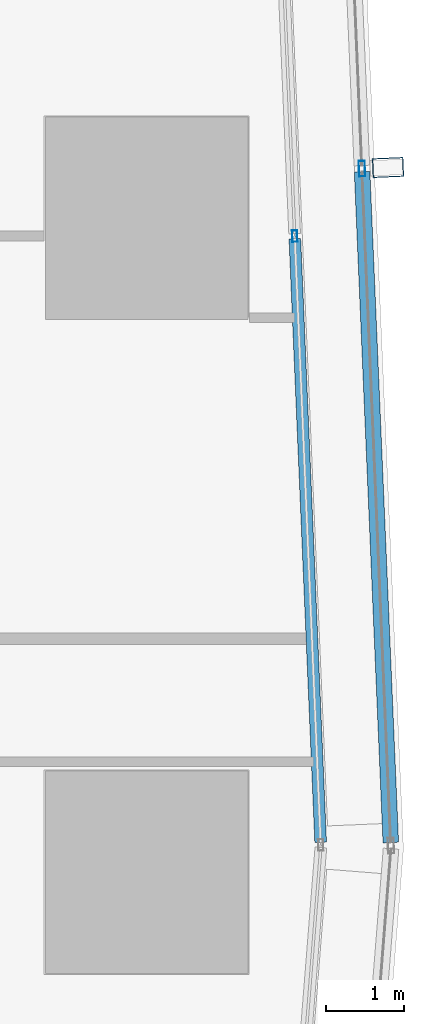
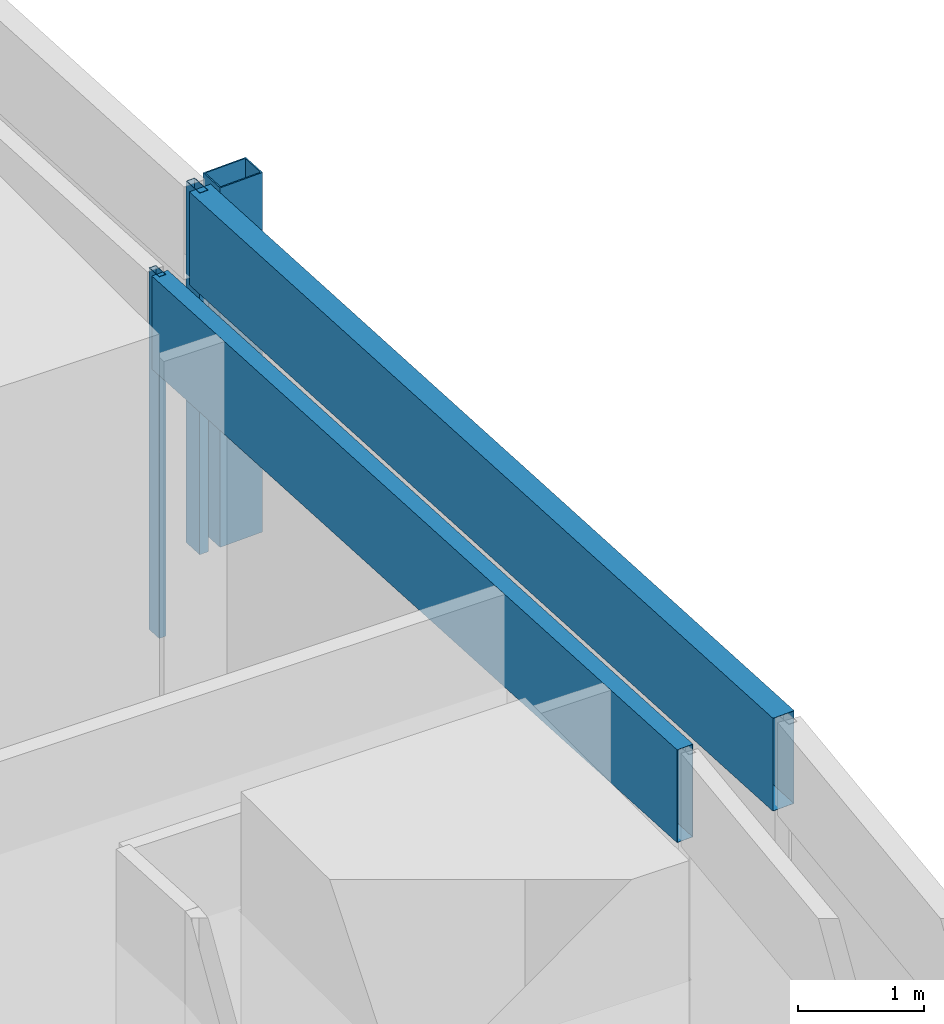
# One storey, part 27 of 46: 5 members, 2 elements without a shape of their own.
"""IFC4 building model written with IfcOpenShell, lengths in metres."""

from ifc_helpers import new_model, si_unit, direction, frame, origin, origin_2d, place, context, subcontext, project, spatial, hollow_rectangle, extrude, material, material_profile, profile_set, type_object, element, aggregate, save


model = new_model("IFC4")

# Units and contexts
model_context = context("Model", 3, precision=1e-05, world=origin(), true_north=direction((0.0, 1.0)))
body_context = subcontext(model_context, "Body", "Model", "MODEL_VIEW")
ifc_project = project(units=[si_unit("LENGTHUNIT", "METRE"), si_unit("AREAUNIT", "SQUARE_METRE"), si_unit("VOLUMEUNIT", "CUBIC_METRE"), si_unit("PLANEANGLEUNIT", "RADIAN"), si_unit("MASSUNIT", "GRAM", prefix="KILO")], contexts=[model_context])

# Site, building, storey
site_placement = place(None, origin())
site = spatial("IfcSite", under=ifc_project, at=site_placement, CompositionType="ELEMENT")
building_placement = place(site_placement, origin())
building = spatial("IfcBuilding", under=site, at=building_placement, Name="Rekha Terrace Tower", CompositionType="ELEMENT")
storey_placement = place(building_placement, frame((0.0, 0.0, 29.14990234375)))
storey = spatial("IfcBuildingStorey", under=building, at=storey_placement, Name="L06", CompositionType="ELEMENT", Elevation=29.14990234375)

# Curtain wall, member
ifc_material_1 = material(Name="Aluminium framing", Category="aluminium")
curtain_wall_type_1 = type_object("IfcCurtainWallType", Name="CW2 double skin outer glazing", PredefinedType="USERDEFINED", material=ifc_material_1)
curtain_wall_1_placement = place(storey_placement, origin())
curtain_wall_1 = element("IfcCurtainWall", 1, at=curtain_wall_1_placement, inside=storey, type_object=curtain_wall_type_1, Name="CW2 double skin outer glazing", ObjectType="DOUBLE SKIN OUTER GLAZING", PredefinedType="USERDEFINED")
ifc_material_2 = material(Name="Steel S355 with fluorocarbon finish", Category="steel")
ifc_material_profile_1 = material_profile(ifc_material_2, hollow_rectangle(XDim=0.25, YDim=0.39990234375, WallThickness=0.012451171875, at=origin_2d()), Name="RHS400x250x12.5")
ifc_profile_set_1 = profile_set([ifc_material_profile_1], Name="Steel S355 with fluorocarbon finish")
member_type_1 = type_object("IfcMemberType", Name="BL1 facade blade RHS 400 x 250", PredefinedType="USERDEFINED", material=ifc_profile_set_1)
member_1_placement = place(storey_placement, frame((70.301025390625, 34.2529296875, 0.02001953125), z_axis=(0.0, 0.0, 1.0), x_axis=(-0.04269522475, 0.99908814315, 0.0)))
member_1 = element("IfcMember", 2, at=member_1_placement, type_object=member_type_1, Name="Facade blade", ObjectType="FACADE BLADE", PredefinedType="USERDEFINED", context=body_context, shape_type="SweptSolid", body=[
    extrude(hollow_rectangle(XDim=0.25, YDim=0.39990234375, WallThickness=0.012451171875, at=origin_2d()), origin(), (0.0, 0.0, 1.0), 3.47998046875),
])

# Curtain wall, members
curtain_wall_type_2 = type_object("IfcCurtainWallType", Name="CW1 double skin inner glazing", PredefinedType="USERDEFINED", material=ifc_material_1)
curtain_wall_2_placement = place(storey_placement, origin())
curtain_wall_2 = element("IfcCurtainWall", 3, at=curtain_wall_2_placement, inside=storey, type_object=curtain_wall_type_2, Name="CW1 double skin inner glazing", ObjectType="DOUBLE SKIN INNER GLAZING", PredefinedType="USERDEFINED")
ifc_material_3 = material(Name="Aluminium mullion section", Category="aluminium")
ifc_material_profile_2 = material_profile(ifc_material_3, hollow_rectangle(XDim=0.06494140625, YDim=0.14990234375, WallThickness=0.00390625, at=origin_2d()), Name="AL RHS 65x150")
ifc_profile_set_2 = profile_set([ifc_material_profile_2], Name="Aluminium mullion section")
member_type_2 = type_object("IfcMemberType", Name="CW1 mullion RHS 65 x 150", PredefinedType="MULLION", material=ifc_profile_set_2)
member_2_placement = place(storey_placement, frame((69.1025390625, 33.371826171875, 0.0), z_axis=(0.0, 0.0, 1.0), x_axis=(-0.999088106903, -0.042696072939, 0.0)))
member_2 = element("IfcMember", 4, at=member_2_placement, type_object=member_type_2, Name="CW1 mullion 2", PredefinedType="MULLION", context=body_context, shape_type="SweptSolid", body=[
    extrude(hollow_rectangle(XDim=0.06494140625, YDim=0.14990234375, WallThickness=0.00390625, at=origin_2d()), origin(), (0.0, 0.0, 1.0), 3.5),
])
ifc_material_4 = material(Name="Insulated aluminium spandrel box", Category="aluminium")
ifc_material_profile_3 = material_profile(ifc_material_4, hollow_rectangle(XDim=0.14990234375, YDim=0.89990234375, WallThickness=0.0029296875, at=origin_2d()), Name="AL SPANDREL BOX 150x900")
ifc_profile_set_3 = profile_set([ifc_material_profile_3], Name="Insulated aluminium spandrel box")
member_type_3 = type_object("IfcMemberType", Name="CW1 spandrel transom 150 x 900", PredefinedType="USERDEFINED", material=ifc_profile_set_3)
member_3_placement = place(storey_placement, frame((69.435546875, 25.584228515625, 3.050048828125), z_axis=(-0.042712441337, 0.999087407265, 0.0), x_axis=(-0.999087407265, -0.042712441337, 0.0)))
member_3 = element("IfcMember", 5, at=member_3_placement, type_object=member_type_3, Name="CW1 spandrel transom 1", ObjectType="TRANSOM", PredefinedType="USERDEFINED", context=body_context, shape_type="SweptSolid", body=[
    extrude(hollow_rectangle(XDim=0.14990234375, YDim=0.89990234375, WallThickness=0.0029296875, at=origin_2d()), origin(), (0.0, 0.0, 1.0), 7.76220703125),
])
aggregate(curtain_wall_2, [member_2, member_3])

# Member
ifc_material_profile_4 = material_profile(ifc_material_3, hollow_rectangle(XDim=0.080078125, YDim=0.199951171875, WallThickness=0.00390625, at=origin_2d()), Name="AL RHS 80x200")
ifc_profile_set_4 = profile_set([ifc_material_profile_4], Name="Aluminium mullion section")
member_type_4 = type_object("IfcMemberType", Name="CW2 mullion RHS 80 x 200", PredefinedType="MULLION", material=ifc_profile_set_4)
member_4_placement = place(storey_placement, frame((69.96630859375, 34.23876953125, 0.0), z_axis=(0.0, 0.0, 1.0), x_axis=(-0.999088106903, -0.042696072956, 0.0)))
member_4 = element("IfcMember", 6, at=member_4_placement, type_object=member_type_4, Name="CW2 mullion 2", PredefinedType="MULLION", context=body_context, shape_type="SweptSolid", body=[
    extrude(hollow_rectangle(XDim=0.080078125, YDim=0.199951171875, WallThickness=0.00390625, at=origin_2d()), origin(), (0.0, 0.0, 1.0), 3.5),
])

ifc_material_profile_5 = material_profile(ifc_material_4, hollow_rectangle(XDim=0.199951171875, YDim=0.89990234375, WallThickness=0.0029296875, at=origin_2d()), Name="AL SPANDREL BOX 200x900")
ifc_profile_set_5 = profile_set([ifc_material_profile_5], Name="Insulated aluminium spandrel box")
member_type_5 = type_object("IfcMemberType", Name="CW2 spandrel transom 200 x 900", PredefinedType="USERDEFINED", material=ifc_profile_set_5)
member_5_placement = place(storey_placement, frame((70.33642578125, 25.582763671875, 3.050048828125), z_axis=(-0.042719742329, 0.99908709511, 0.0), x_axis=(-0.99908709511, -0.042719742329, 0.0)))
member_5 = element("IfcMember", 7, at=member_5_placement, type_object=member_type_5, Name="CW2 spandrel transom 1", ObjectType="TRANSOM", PredefinedType="USERDEFINED", context=body_context, shape_type="SweptSolid", body=[
    extrude(hollow_rectangle(XDim=0.199951171875, YDim=0.89990234375, WallThickness=0.0029296875, at=origin_2d()), origin(), (0.0, 0.0, 1.0), 8.623779296875),
])

aggregate(curtain_wall_1, [member_4, member_5, member_1])

save(model, "model.ifc")
